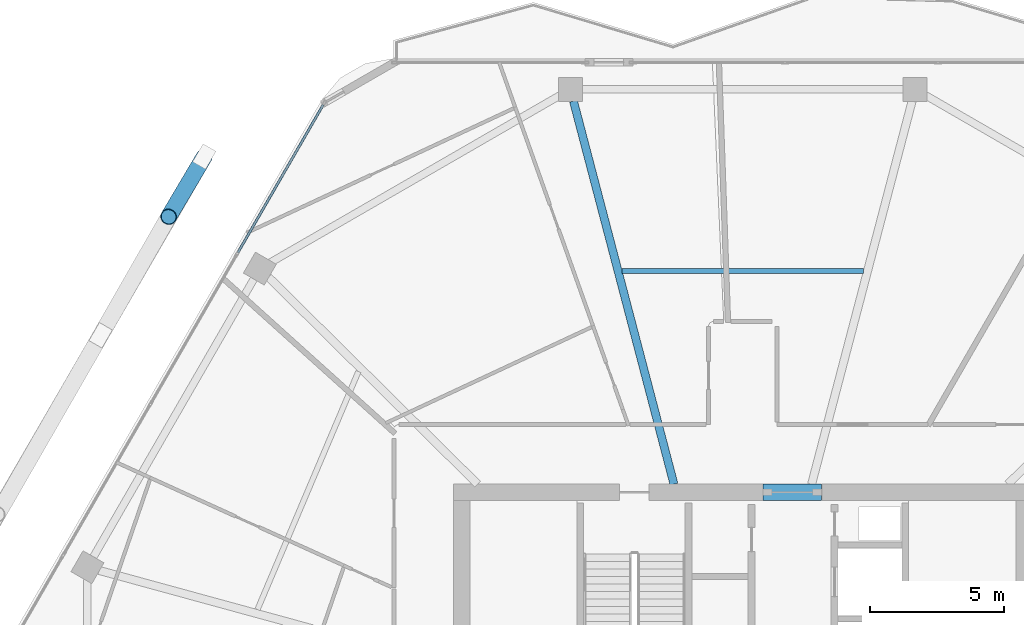
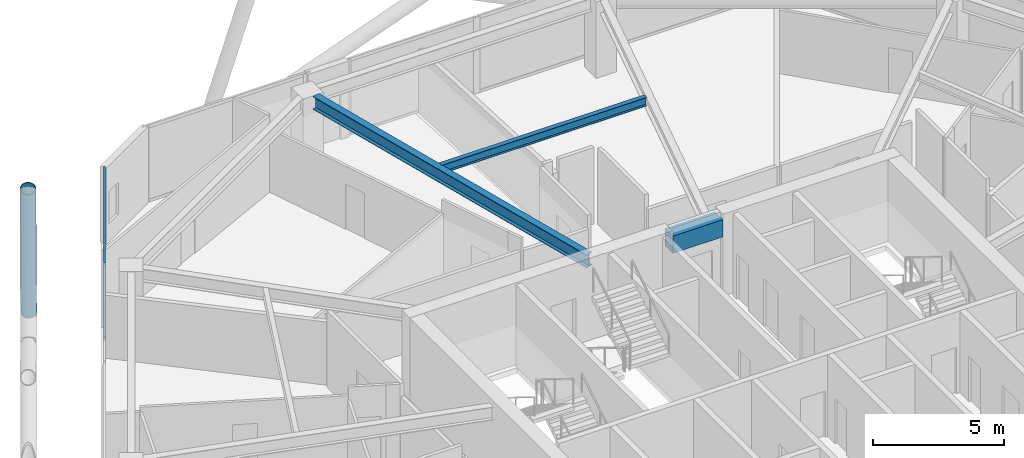
# One storey, part 14 of 26: 3 beams, 3 members, 1 element without a shape of its own.
"""IFC4 building model written with IfcOpenShell, lengths in metres."""

from ifc_helpers import new_model, si_unit, direction, frame, origin, origin_2d, place, context, subcontext, project, spatial, rectangle, hollow_rectangle, hollow_circle, i_section, extrude, material, material_profile, profile_set, type_object, element, aggregate, save


model = new_model("IFC4")

# Units and contexts
model_context = context("Model", 3, precision=1e-05, world=origin(), true_north=direction((0.0, 1.0)))
body_context = subcontext(model_context, "Body", "Model", "MODEL_VIEW")
ifc_project = project(units=[si_unit("LENGTHUNIT", "METRE"), si_unit("AREAUNIT", "SQUARE_METRE"), si_unit("VOLUMEUNIT", "CUBIC_METRE"), si_unit("PLANEANGLEUNIT", "RADIAN"), si_unit("MASSUNIT", "GRAM", prefix="KILO")], contexts=[model_context])

# Site, building, storey
site_placement = place(None, origin())
site = spatial("IfcSite", under=ifc_project, at=site_placement, CompositionType="ELEMENT")
building_placement = place(site_placement, origin())
building = spatial("IfcBuilding", under=site, at=building_placement, Name="Zuhravey Tower", CompositionType="ELEMENT")
storey_placement = place(building_placement, frame((0.0, 0.0, 231.199951171875)))
storey = spatial("IfcBuildingStorey", under=building, at=storey_placement, Name="L58", CompositionType="ELEMENT", Elevation=231.199951171875)

# Beam
ifc_material_1 = material(Name="Concrete C50/60", Category="concrete")
ifc_material_profile_1 = material_profile(ifc_material_1, rectangle(XDim=0.60009765625, YDim=0.800048828125, at=origin_2d()), Name="RC-600x800")
ifc_profile_set_1 = profile_set([ifc_material_profile_1], Name="Concrete C50/60")
beam_type_1 = type_object("IfcBeamType", Name="Core Coupling Beam RC600x800", PredefinedType="LINTEL", material=ifc_profile_set_1)
beam_1_placement = place(storey_placement, frame((36.751953125, 41.5, 3.150146484375), z_axis=(1.0, 0.0, 0.0), x_axis=(0.0, 1.0, 0.0)))
element("IfcBeam", 1, at=beam_1_placement, inside=storey, type_object=beam_type_1, Name="L58 CB2 BM-L58-CB-N", PredefinedType="LINTEL", context=body_context, shape_type="SweptSolid", body=[
    extrude(rectangle(XDim=0.60009765625, YDim=0.800048828125, at=origin_2d()), origin(), (0.0, 0.0, 1.0), 2.196044921875),
])

# Curtain wall, members
ifc_material_2 = material(Name="Thermally broken anodised aluminium", Category="aluminium")
curtain_wall_type = type_object("IfcCurtainWallType", Name="Zone 3-4 High-Rise Curtain Wall CW4", PredefinedType="NOTDEFINED", material=ifc_material_2)
curtain_wall_placement = place(storey_placement, origin())
curtain_wall = element("IfcCurtainWall", 2, at=curtain_wall_placement, inside=storey, type_object=curtain_wall_type, Name="L58 CW4 CW-L58-F3-1", PredefinedType="NOTDEFINED")
ifc_material_3 = material(Name="Anodised aluminium", Category="aluminium")
ifc_material_profile_2 = material_profile(ifc_material_3, hollow_rectangle(XDim=0.090087890625, YDim=0.14990234375, WallThickness=0.0048828125, at=origin_2d()), Name="ALU-RHS-90x150x5")
ifc_profile_set_2 = profile_set([ifc_material_profile_2], Name="Anodised aluminium")
member_type_1 = type_object("IfcMemberType", Name="Curtain-Wall Transom 90x150", PredefinedType="USERDEFINED", material=ifc_profile_set_2)
member_1_placement = place(storey_placement, frame((17.136962890625, 50.455322265625, 0.045166015625), z_axis=(0.499980071345, 0.866036909293, 0.0), x_axis=(-0.866036909293, 0.499980071345, 0.0)))
member_1 = element("IfcMember", 3, at=member_1_placement, type_object=member_type_1, Name="CW4 transom 4.1", ObjectType="TRANSOM", PredefinedType="USERDEFINED", context=body_context, shape_type="SweptSolid", body=[
    extrude(hollow_rectangle(XDim=0.090087890625, YDim=0.14990234375, WallThickness=0.0048828125, at=origin_2d()), origin(), (0.0, 0.0, 1.0), 6.371337890625),
])
member_2_placement = place(storey_placement, frame((17.136962890625, 50.455322265625, 3.505126953125), z_axis=(0.499980071345, 0.866036909293, 0.0), x_axis=(-0.866036909293, 0.499980071345, 0.0)))
member_2 = element("IfcMember", 4, at=member_2_placement, type_object=member_type_1, Name="CW4 transom 4.2", ObjectType="TRANSOM", PredefinedType="USERDEFINED", context=body_context, shape_type="SweptSolid", body=[
    extrude(hollow_rectangle(XDim=0.090087890625, YDim=0.14990234375, WallThickness=0.0048828125, at=origin_2d()), origin(), (0.0, 0.0, 1.0), 6.371337890625),
])
aggregate(curtain_wall, [member_1, member_2])

# Member
ifc_material_4 = material(Name="Steel SM355", Category="steel")
ifc_material_profile_3 = material_profile(ifc_material_4, hollow_circle(Radius=0.3046875, WallThickness=0.028076171875, at=origin_2d()), Name="CHS-609.6x28")
ifc_profile_set_3 = profile_set([ifc_material_profile_3], Name="Steel SM355")
member_type_2 = type_object("IfcMemberType", Name="Exoskeleton Zone 3 Diagrid CHS610x28", PredefinedType="BRACE", material=ifc_profile_set_3)
member_3_placement = place(storey_placement, frame((15.87841796875, 54.03564453125, -0.446044921875), z_axis=(-0.166258751758, -0.280494899048, 0.945346835332), x_axis=(0.860238328743, -0.509892162876, 0.0)))
element("IfcMember", 5, at=member_3_placement, inside=storey, type_object=member_type_2, Name="L58 Face 3 Diagrid Brace 1", PredefinedType="BRACE", context=body_context, shape_type="SweptSolid", body=[
    extrude(hollow_circle(Radius=0.3046875, WallThickness=0.028076171875, at=origin_2d()), origin(), (0.0, 0.0, 1.0), 8.00146484375),
])

# Beams
ifc_material_profile_4 = material_profile(ifc_material_4, i_section(OverallWidth=0.300048828125, OverallDepth=0.60009765625, WebThickness=0.011962890625, FlangeThickness=0.02001953125, at=origin_2d()), Name="H-600x300x12x20")
ifc_profile_set_4 = profile_set([ifc_material_profile_4], Name="Steel SM355")
beam_type_2 = type_object("IfcBeamType", Name="Radial Primary Girder H600x300", PredefinedType="BEAM", material=ifc_profile_set_4)
beam_2_placement = place(storey_placement, frame((33.428466796875, 41.802978515625, 3.25), z_axis=(-0.253731415841, 0.967274712073, 0.0), x_axis=(-0.967274712073, -0.253731415841, 0.0)))
element("IfcBeam", 6, at=beam_2_placement, inside=storey, type_object=beam_type_2, Name="L58 RG3 BM-L58-RAD-04", PredefinedType="BEAM", context=body_context, shape_type="SweptSolid", body=[
    extrude(i_section(OverallWidth=0.300048828125, OverallDepth=0.60009765625, WebThickness=0.011962890625, FlangeThickness=0.02001953125, at=origin_2d()), origin(), (0.0, 0.0, 1.0), 14.796630859375),
])
ifc_material_profile_5 = material_profile(ifc_material_4, i_section(OverallWidth=0.199951171875, OverallDepth=0.39990234375, WebThickness=0.008056640625, FlangeThickness=0.012939453125, at=origin_2d()), Name="H-400x200x8x13")
ifc_profile_set_5 = profile_set([ifc_material_profile_5], Name="Steel SM355")
beam_type_3 = type_object("IfcBeamType", Name="Secondary Floor Joist H400x200", PredefinedType="JOIST", material=ifc_profile_set_5)
beam_3_placement = place(storey_placement, frame((40.507080078125, 49.768310546875, 3.35009765625), z_axis=(-1.0, 0.0, 0.0), x_axis=(0.0, -1.0, 0.0)))
element("IfcBeam", 7, at=beam_3_placement, inside=storey, type_object=beam_type_3, Name="L58 SJ2 BM-L58-SJ-03-1", PredefinedType="JOIST", context=body_context, shape_type="SweptSolid", body=[
    extrude(i_section(OverallWidth=0.199951171875, OverallDepth=0.39990234375, WebThickness=0.008056640625, FlangeThickness=0.012939453125, at=origin_2d()), origin(), (0.0, 0.0, 1.0), 9.01416015625),
])

save(model, "model.ifc")
